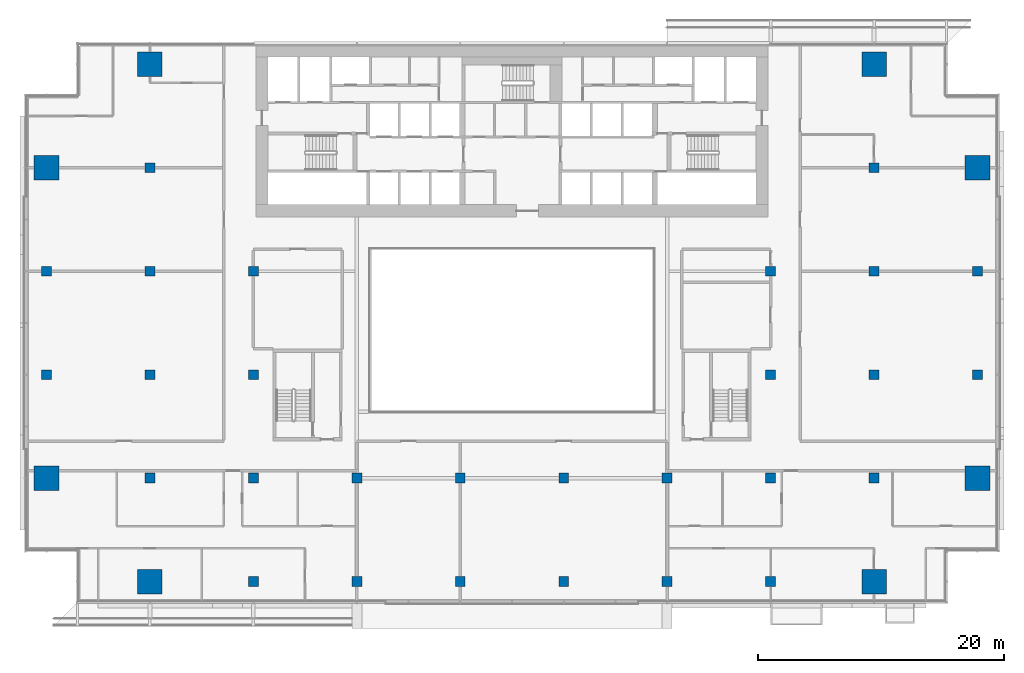
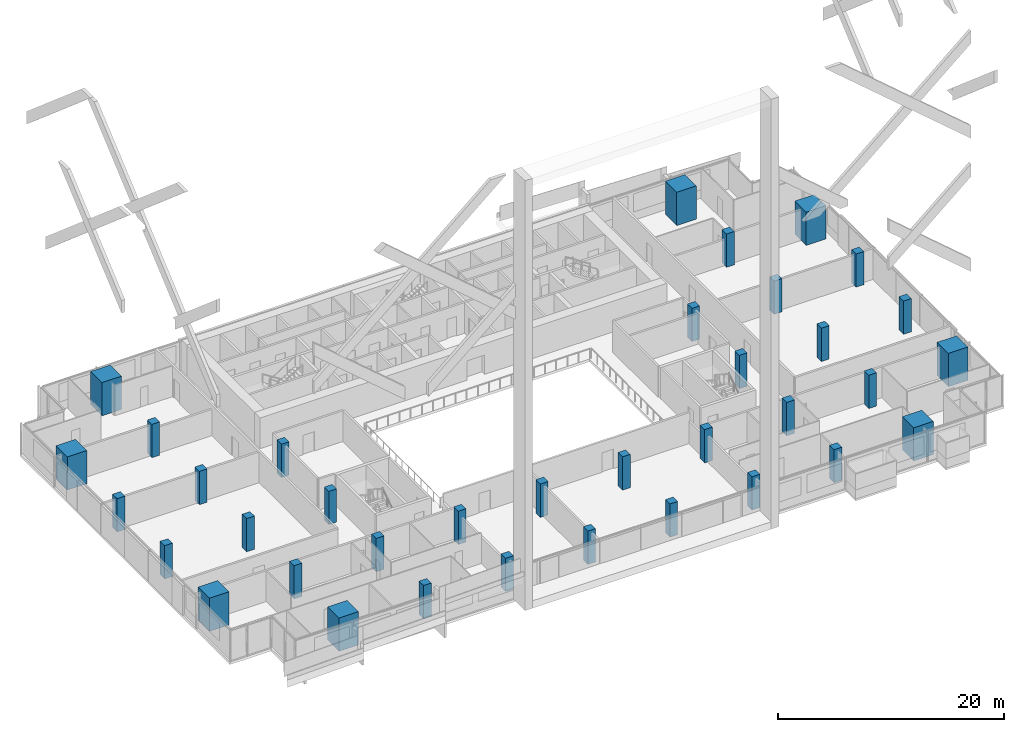
# One storey, part 1 of 30: 36 columns.
"""IFC4 building model written with IfcOpenShell, lengths in metres."""

from ifc_helpers import new_model, si_unit, direction, frame, origin, origin_2d, place, context, subcontext, project, spatial, rectangle, extrude, material, material_profile, profile_set, type_object, element, save


model = new_model("IFC4")

# Units and contexts
model_context = context("Model", 3, precision=1e-05, world=origin(), true_north=direction((0.0, 1.0)))
body_context = subcontext(model_context, "Body", "Model", "MODEL_VIEW")
ifc_project = project(units=[si_unit("LENGTHUNIT", "METRE"), si_unit("AREAUNIT", "SQUARE_METRE"), si_unit("VOLUMEUNIT", "CUBIC_METRE"), si_unit("PLANEANGLEUNIT", "RADIAN"), si_unit("MASSUNIT", "GRAM", prefix="KILO")], contexts=[model_context])

# Site, building, storey
site_placement = place(None, origin())
site = spatial("IfcSite", under=ifc_project, at=site_placement, CompositionType="ELEMENT")
building_placement = place(site_placement, origin())
building = spatial("IfcBuilding", under=site, at=building_placement, Name="Saffron Gate Tower", CompositionType="ELEMENT")
storey_placement = place(building_placement, frame((0.0, 0.0, 95.25)))
storey = spatial("IfcBuildingStorey", under=building, at=storey_placement, Name="L21", CompositionType="ELEMENT", Elevation=95.25)

# Columns
ifc_material_1 = material(Name="Concrete C60", Category="concrete")
ifc_material_profile_1 = material_profile(ifc_material_1, rectangle(XDim=0.800048828125, YDim=0.800048828125, at=origin_2d()))
ifc_profile_set_1 = profile_set([ifc_material_profile_1], Name="Concrete C60")
column_type_1 = type_object("IfcColumnType", Name="C5 RC 800x800 CONCRETE C60", PredefinedType="COLUMN", material=ifc_profile_set_1)
for number, where, z_axis, x_axis, name in (
    (1, (49.800048828125, 48.60009765625, 0.0), (0.0, 0.0, 1.0), (1.0, 0.0, 0.0), "C5 COLUMN X1-C"),
    (2, (49.800048828125, 57.0, 0.0), (0.0, 0.0, 1.0), (1.0, 0.0, 0.0), "C5 COLUMN X1-D"),
    (3, (58.199951171875, 40.199951171875, 0.0), (0.0, 0.0, 1.0), (1.0, 0.0, 0.0), "C5 COLUMN X2-B"),
    (4, (58.199951171875, 48.60009765625, 0.0), (0.0, 0.0, 1.0), (1.0, 0.0, 0.0), "C5 COLUMN X2-C"),
    (5, (58.199951171875, 57.0, 0.0), (0.0, 0.0, 1.0), (1.0, 0.0, 0.0), "C5 COLUMN X2-D"),
    (6, (58.199951171875, 65.39990234375, 0.0), (0.0, 0.0, 1.0), (1.0, 0.0, 0.0), "C5 COLUMN X2-E"),
    (7, (66.60009765625, 31.800048828125, 0.0), (0.0, 0.0, 1.0), (1.0, 0.0, 0.0), "C5 COLUMN X3-A"),
    (8, (66.60009765625, 40.199951171875, 0.0), (0.0, 0.0, 1.0), (1.0, 0.0, 0.0), "C5 COLUMN X3-B"),
    (9, (66.60009765625, 48.60009765625, 0.0), (0.0, 0.0, 1.0), (1.0, 0.0, 0.0), "C5 COLUMN X3-C"),
    (10, (66.60009765625, 57.0, 0.0), (0.0, 0.0, 1.0), (1.0, 0.0, 0.0), "C5 COLUMN X3-D"),
    (11, (75.0, 31.800048828125, 0.0), (0.0, 0.0, 1.0), (1.0, 0.0, 0.0), "C5 COLUMN X4-A"),
    (12, (75.0, 40.199951171875, 0.0), (0.0, 0.0, 1.0), (1.0, 0.0, 0.0), "C5 COLUMN X4-B"),
    (13, (83.39990234375, 31.800048828125, 0.0), (0.0, 0.0, 1.0), (1.0, 0.0, 0.0), "C5 COLUMN X5-A"),
    (14, (83.39990234375, 40.199951171875, 0.0), (0.0, 0.0, 1.0), (1.0, 0.0, 0.0), "C5 COLUMN X5-B"),
    (15, (91.800048828125, 31.800048828125, 0.0), (0.0, 0.0, 1.0), (1.0, 0.0, 0.0), "C5 COLUMN X6-A"),
    (16, (91.800048828125, 40.199951171875, 0.0), (0.0, 0.0, 1.0), (1.0, 0.0, 0.0), "C5 COLUMN X6-B"),
    (17, (100.199951171875, 31.800048828125, 0.0), (0.0, 0.0, 1.0), (1.0, 0.0, 0.0), "C5 COLUMN X7-A"),
    (18, (100.199951171875, 40.199951171875, 0.0), (0.0, 0.0, 1.0), (1.0, 0.0, 0.0), "C5 COLUMN X7-B"),
    (19, (108.60009765625, 31.800048828125, 0.0), (0.0, 0.0, 1.0), (1.0, 0.0, 0.0), "C5 COLUMN X8-A"),
    (20, (108.60009765625, 40.199951171875, 0.0), (0.0, 0.0, 1.0), (1.0, 0.0, 0.0), "C5 COLUMN X8-B"),
    (21, (108.60009765625, 48.60009765625, 0.0), (0.0, 0.0, 1.0), (1.0, 0.0, 0.0), "C5 COLUMN X8-C"),
    (22, (108.60009765625, 57.0, 0.0), (0.0, 0.0, 1.0), (1.0, 0.0, 0.0), "C5 COLUMN X8-D"),
    (23, (117.0, 40.199951171875, 0.0), (0.0, 0.0, 1.0), (1.0, 0.0, 0.0), "C5 COLUMN X9-B"),
    (24, (117.0, 48.60009765625, 0.0), (0.0, 0.0, 1.0), (1.0, 0.0, 0.0), "C5 COLUMN X9-C"),
    (25, (117.0, 57.0, 0.0), (0.0, 0.0, 1.0), (1.0, 0.0, 0.0), "C5 COLUMN X9-D"),
    (26, (117.0, 65.39990234375, 0.0), (0.0, 0.0, 1.0), (1.0, 0.0, 0.0), "C5 COLUMN X9-E"),
    (27, (125.39990234375, 48.60009765625, 0.0), (0.0, 0.0, 1.0), (1.0, 0.0, 0.0), "C5 COLUMN X10-C"),
    (28, (125.39990234375, 57.0, 0.0), (0.0, 0.0, 1.0), (1.0, 0.0, 0.0), "C5 COLUMN X10-D"),
):
    element("IfcColumn", number, at=place(storey_placement, frame(where, z_axis=z_axis, x_axis=x_axis)), inside=storey, type_object=column_type_1, Name=name, PredefinedType="COLUMN", context=body_context, shape_type="SweptSolid", body=[
        extrude(rectangle(XDim=0.800048828125, YDim=0.800048828125, at=origin_2d()), origin(), (0.0, 0.0, 1.0), 3.60009765625),
    ])
ifc_material_2 = material(Name="Concrete C80", Category="concrete")
ifc_material_profile_2 = material_profile(ifc_material_2, rectangle(XDim=2.0, YDim=2.0, at=origin_2d()))
ifc_profile_set_2 = profile_set([ifc_material_profile_2], Name="Concrete C80")
column_type_2 = type_object("IfcColumnType", Name="MC3 RC 2000x2000 CONCRETE C80", PredefinedType="COLUMN", material=ifc_profile_set_2)
for number, where, z_axis, x_axis, name in (
    (29, (49.800048828125, 40.199951171875, 0.0), (0.0, 0.0, 1.0), (1.0, 0.0, 0.0), "MC3 MEGA COLUMN X1-B"),
    (30, (49.800048828125, 65.39990234375, 0.0), (0.0, 0.0, 1.0), (1.0, 0.0, 0.0), "MC3 MEGA COLUMN X1-E"),
    (31, (58.199951171875, 31.800048828125, 0.0), (0.0, 0.0, 1.0), (1.0, 0.0, 0.0), "MC3 MEGA COLUMN X2-A"),
    (32, (58.199951171875, 73.800048828125, 0.0), (0.0, 0.0, 1.0), (1.0, 0.0, 0.0), "MC3 MEGA COLUMN X2-F"),
    (33, (117.0, 31.800048828125, 0.0), (0.0, 0.0, 1.0), (1.0, 0.0, 0.0), "MC3 MEGA COLUMN X9-A"),
    (34, (117.0, 73.800048828125, 0.0), (0.0, 0.0, 1.0), (1.0, 0.0, 0.0), "MC3 MEGA COLUMN X9-F"),
    (35, (125.39990234375, 40.199951171875, 0.0), (0.0, 0.0, 1.0), (1.0, 0.0, 0.0), "MC3 MEGA COLUMN X10-B"),
    (36, (125.39990234375, 65.39990234375, 0.0), (0.0, 0.0, 1.0), (1.0, 0.0, 0.0), "MC3 MEGA COLUMN X10-E"),
):
    element("IfcColumn", number, at=place(storey_placement, frame(where, z_axis=z_axis, x_axis=x_axis)), inside=storey, type_object=column_type_2, Name=name, PredefinedType="COLUMN", context=body_context, shape_type="SweptSolid", body=[
        extrude(rectangle(XDim=2.0, YDim=2.0, at=origin_2d()), origin(), (0.0, 0.0, 1.0), 3.60009765625),
    ])

save(model, "model.ifc")
